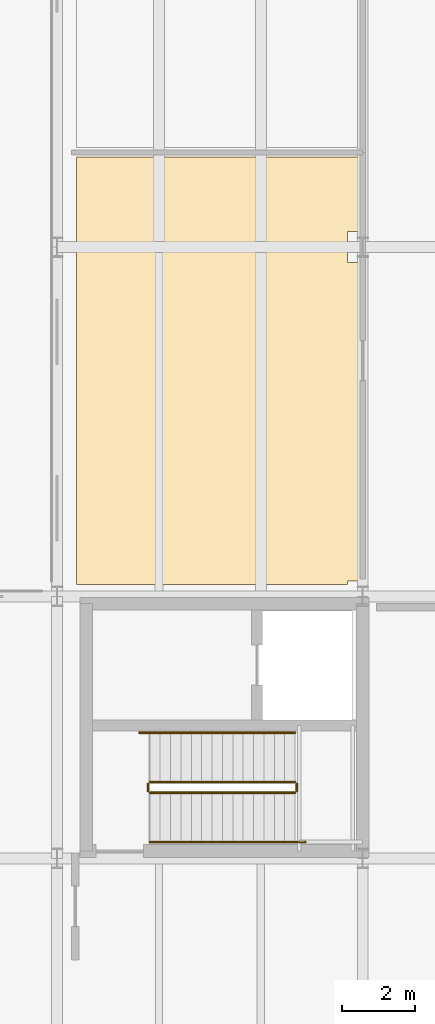
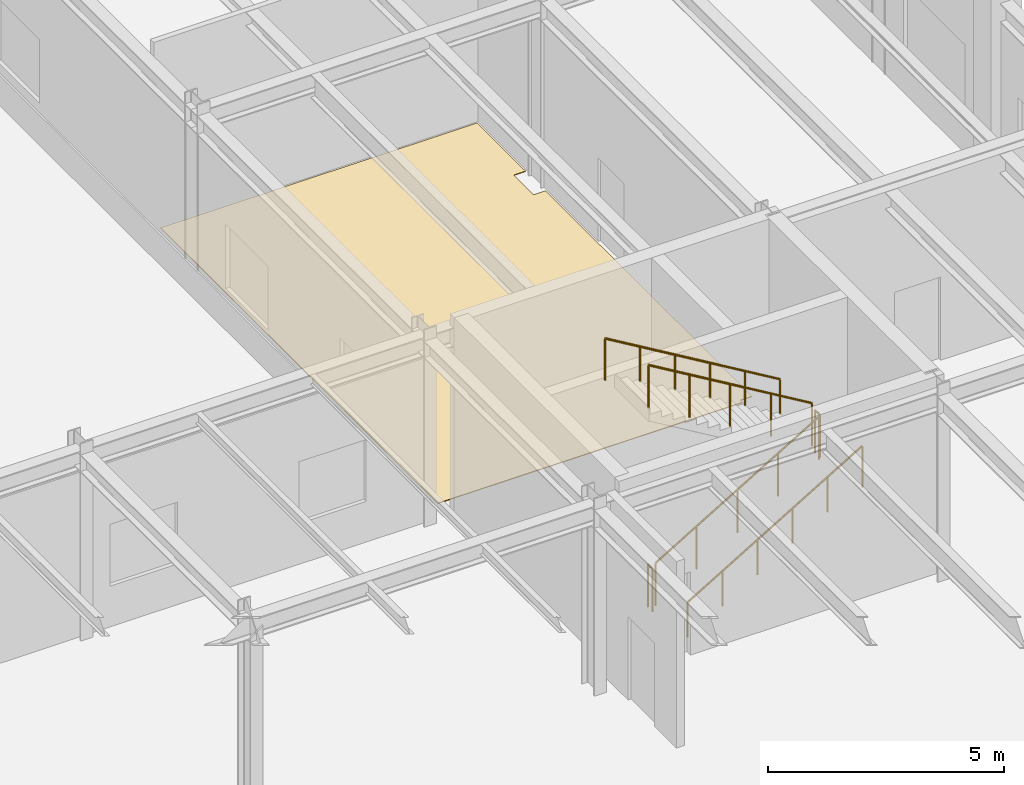
# One storey, part 61 of 64: 6 railings, 1 covering.
"""IFC4 building model written with IfcOpenShell, lengths in metres."""

from ifc_helpers import new_model, si_unit, direction, frame, origin, origin_2d, place, context, subcontext, project, spatial, polyline, circle, outline, extrude, material, layer, layer_set, type_object, element, save


model = new_model("IFC4")

# Units and contexts
model_context = context("Model", 3, precision=1e-05, world=origin(), true_north=direction((0.0, 1.0)))
body_context = subcontext(model_context, "Body", "Model", "MODEL_VIEW")
ifc_project = project(units=[si_unit("LENGTHUNIT", "METRE"), si_unit("AREAUNIT", "SQUARE_METRE"), si_unit("VOLUMEUNIT", "CUBIC_METRE"), si_unit("PLANEANGLEUNIT", "RADIAN"), si_unit("MASSUNIT", "GRAM", prefix="KILO")], contexts=[model_context])

# Site, building, storey
site_placement = place(None, origin())
site = spatial("IfcSite", under=ifc_project, at=site_placement, CompositionType="ELEMENT")
building_placement = place(site_placement, origin())
building = spatial("IfcBuilding", under=site, at=building_placement, Name="Montealbar Specialist Clinic", CompositionType="ELEMENT")
storey_placement = place(building_placement, origin())
storey = spatial("IfcBuildingStorey", under=building, at=storey_placement, Name="L00", CompositionType="ELEMENT", Elevation=0.0)

# Covering
ifc_material_1 = material(Name="Antimicrobial clinical linoleum", Category="wood")
ifc_layer_1 = layer(ifc_material_1, 0.02001953125, Name="Antimicrobial clinical linoleum", Category="wood")
ifc_layer_set_1 = layer_set([ifc_layer_1], Name="Antimicrobial clinical linoleum")
covering_type = type_object("IfcCoveringType", Name="COV-FLR-LINOLEUM", PredefinedType="FLOORING", material=ifc_layer_set_1)
covering_placement = place(storey_placement, origin())
element("IfcCovering", 1, at=covering_placement, inside=storey, type_object=covering_type, Name="Clinical Flooring Rheumatology Outpatient Clinic 01", PredefinedType="FLOORING", context=body_context, shape_type="SweptSolid", body=[
    extrude(outline(polyline([(145.72998046875, 64.27001953125), (153.469970703125, 64.27001953125), (153.469970703125, 62.219970703125), (153.179931640625, 62.219970703125), (153.179931640625, 61.3798828125), (153.469970703125, 61.3798828125), (153.469970703125, 52.6201171875), (153.179931640625, 52.6201171875), (153.179931640625, 52.530029296875), (145.72998046875, 52.530029296875), (145.72998046875, 64.27001953125)])), origin(), (0.0, 0.0, 1.0), 0.02001953125),
])

# Railings
ifc_material_2 = material(Name="Steel S355", Category="steel")
ifc_layer_2 = layer(ifc_material_2, 0.050048828125, Name="Steel S355", Category="steel")
ifc_layer_set_2 = layer_set([ifc_layer_2], Name="Steel S355")
railing_type_1 = type_object("IfcRailingType", Name="RAIL-STAIR-BAL-1100", PredefinedType="BALUSTRADE", material=ifc_layer_set_2)
railing_1_placement = place(storey_placement, frame((147.75, 46.800048828125, 0.169921875)))
element("IfcRailing", 2, at=railing_1_placement, inside=storey, type_object=railing_type_1, Name="L00 ST-06 stair guard 1", PredefinedType="BALUSTRADE", context=body_context, shape_type="SweptSolid", body=[
    extrude(circle(Radius=0.02392578125, at=origin_2d()), frame((0.0, 0.0, 1.076171875), z_axis=(0.858806931142, 0.0, 0.512299380267), x_axis=(0.0, 1.0, 0.0)), (0.0, 0.0, 1.0), 4.64599609375),
    extrude(circle(Radius=0.02099609375, at=origin_2d()), frame((0.0, 0.0, -0.02490234375)), (0.0, 0.0, 1.0), 1.076904296875),
    extrude(circle(Radius=0.02099609375, at=origin_2d()), frame((0.99755859375, 0.0, 0.570068359375)), (0.0, 0.0, 1.0), 1.076904296875),
    extrude(circle(Radius=0.02099609375, at=origin_2d()), frame((1.9951171875, 0.0, 1.1650390625)), (0.0, 0.0, 1.0), 1.076904296875),
    extrude(circle(Radius=0.02099609375, at=origin_2d()), frame((2.992431640625, 0.0, 1.760009765625)), (0.0, 0.0, 1.0), 1.076904296875),
    extrude(circle(Radius=0.02099609375, at=origin_2d()), frame((3.989990234375, 0.0, 2.355224609375)), (0.0, 0.0, 1.0), 1.076904296875),
])
railing_2_placement = place(storey_placement, frame((151.7900390625, 46.85009765625, 2.550048828125)))
element("IfcRailing", 3, at=railing_2_placement, inside=storey, type_object=railing_type_1, Name="L00 ST-06 stair guard 2", PredefinedType="BALUSTRADE", context=body_context, shape_type="SweptSolid", body=[
    extrude(circle(Radius=0.02392578125, at=origin_2d()), frame((0.0, 0.0, 1.076171875), z_axis=(0.0, 1.0, 0.0), x_axis=(-1.0, 0.0, 0.0)), (0.0, 0.0, 1.0), 0.199951171875),
    extrude(circle(Radius=0.02099609375, at=origin_2d()), frame((0.0, 0.0, -0.02490234375)), (0.0, 0.0, 1.0), 1.076904296875),
    extrude(circle(Radius=0.02099609375, at=origin_2d()), frame((0.0, 0.199951171875, -0.02490234375)), (0.0, 0.0, 1.0), 1.076904296875),
])
railing_3_placement = place(storey_placement, frame((151.739990234375, 47.10009765625, 2.719970703125)))
element("IfcRailing", 4, at=railing_3_placement, inside=storey, type_object=railing_type_1, Name="L00 ST-06 stair guard 3", PredefinedType="BALUSTRADE", context=body_context, shape_type="SweptSolid", body=[
    extrude(circle(Radius=0.02392578125, at=origin_2d()), frame((0.0, 0.0, 1.076171875), z_axis=(-0.858806931142, 0.0, 0.512299380267), x_axis=(0.0, -1.0, 0.0)), (0.0, 0.0, 1.0), 4.64599609375),
    extrude(circle(Radius=0.02099609375, at=origin_2d()), frame((0.0, 0.0, -0.02490234375)), (0.0, 0.0, 1.0), 1.076904296875),
    extrude(circle(Radius=0.02099609375, at=origin_2d()), frame((-0.99755859375, 0.0, 0.570068359375)), (0.0, 0.0, 1.0), 1.076904296875),
    extrude(circle(Radius=0.02099609375, at=origin_2d()), frame((-1.9951171875, 0.0, 1.1650390625)), (0.0, 0.0, 1.0), 1.076904296875),
    extrude(circle(Radius=0.02099609375, at=origin_2d()), frame((-2.992431640625, 0.0, 1.760009765625)), (0.0, 0.0, 1.0), 1.076904296875),
    extrude(circle(Radius=0.02099609375, at=origin_2d()), frame((-3.989990234375, 0.0, 2.355224609375)), (0.0, 0.0, 1.0), 1.076904296875),
])
railing_4_placement = place(storey_placement, frame((147.699951171875, 46.85009765625, 0.0)))
element("IfcRailing", 5, at=railing_4_placement, inside=storey, type_object=railing_type_1, Name="L00 ST-06 stair guard 4", PredefinedType="BALUSTRADE", context=body_context, shape_type="SweptSolid", body=[
    extrude(circle(Radius=0.02392578125, at=origin_2d()), frame((0.0, 0.0, 1.076171875), z_axis=(0.0, 1.0, 0.0), x_axis=(-1.0, 0.0, 0.0)), (0.0, 0.0, 1.0), 0.199951171875),
    extrude(circle(Radius=0.02099609375, at=origin_2d()), frame((0.0, 0.0, -0.02490234375)), (0.0, 0.0, 1.0), 1.076904296875),
    extrude(circle(Radius=0.02099609375, at=origin_2d()), frame((0.0, 0.199951171875, -0.02490234375)), (0.0, 0.0, 1.0), 1.076904296875),
])
ifc_layer_3 = layer(ifc_material_2, 0.044921875, Name="Steel S355", Category="steel")
ifc_layer_set_3 = layer_set([ifc_layer_3], Name="Steel S355")
railing_type_2 = type_object("IfcRailingType", Name="RAIL-STAIR-HR-900", PredefinedType="HANDRAIL", material=ifc_layer_set_3)
railing_5_placement = place(storey_placement, frame((147.75, 45.449951171875, 0.169921875)))
element("IfcRailing", 6, at=railing_5_placement, inside=storey, type_object=railing_type_2, Name="L00 ST-06 stair handrail 1", PredefinedType="HANDRAIL", context=body_context, shape_type="SweptSolid", body=[
    extrude(circle(Radius=0.02392578125, at=origin_2d()), frame((0.0, 0.0, 0.8759765625), z_axis=(0.858810040619, 0.0, 0.512294167576), x_axis=(0.0, 1.0, 0.0)), (0.0, 0.0, 1.0), 4.977783203125),
    extrude(circle(Radius=0.02099609375, at=origin_2d()), frame((0.0, 0.0, -0.02490234375)), (0.0, 0.0, 1.0), 0.876708984375),
    extrude(circle(Radius=0.02099609375, at=origin_2d()), frame((0.85498046875, 0.0, 0.485107421875)), (0.0, 0.0, 1.0), 0.876708984375),
    extrude(circle(Radius=0.02099609375, at=origin_2d()), frame((1.7099609375, 0.0, 0.9951171875)), (0.0, 0.0, 1.0), 0.876708984375),
    extrude(circle(Radius=0.02099609375, at=origin_2d()), frame((2.56494140625, 0.0, 1.505126953125)), (0.0, 0.0, 1.0), 0.876708984375),
    extrude(circle(Radius=0.02099609375, at=origin_2d()), frame((3.419921875, 0.0, 2.01513671875)), (0.0, 0.0, 1.0), 0.876708984375),
    extrude(circle(Radius=0.02099609375, at=origin_2d()), frame((4.27490234375, 0.0, 2.355224609375)), (0.0, 0.0, 1.0), 1.046630859375),
])
railing_6_placement = place(storey_placement, frame((151.739990234375, 48.449951171875, 2.719970703125)))
element("IfcRailing", 7, at=railing_6_placement, inside=storey, type_object=railing_type_2, Name="L00 ST-06 stair handrail 2", PredefinedType="HANDRAIL", context=body_context, shape_type="SweptSolid", body=[
    extrude(circle(Radius=0.02392578125, at=origin_2d()), frame((0.0, 0.0, 0.8759765625), z_axis=(-0.858810040619, 0.0, 0.512294167576), x_axis=(0.0, -1.0, 0.0)), (0.0, 0.0, 1.0), 4.977783203125),
    extrude(circle(Radius=0.02099609375, at=origin_2d()), frame((0.0, 0.0, -0.02490234375)), (0.0, 0.0, 1.0), 0.876708984375),
    extrude(circle(Radius=0.02099609375, at=origin_2d()), frame((-0.85498046875, 0.0, 0.485107421875)), (0.0, 0.0, 1.0), 0.876708984375),
    extrude(circle(Radius=0.02099609375, at=origin_2d()), frame((-1.7099609375, 0.0, 0.9951171875)), (0.0, 0.0, 1.0), 0.876708984375),
    extrude(circle(Radius=0.02099609375, at=origin_2d()), frame((-2.56494140625, 0.0, 1.505126953125)), (0.0, 0.0, 1.0), 0.876708984375),
    extrude(circle(Radius=0.02099609375, at=origin_2d()), frame((-3.419921875, 0.0, 2.01513671875)), (0.0, 0.0, 1.0), 0.876708984375),
    extrude(circle(Radius=0.02099609375, at=origin_2d()), frame((-4.27490234375, 0.0, 2.355224609375)), (0.0, 0.0, 1.0), 1.046630859375),
])

save(model, "model.ifc")
